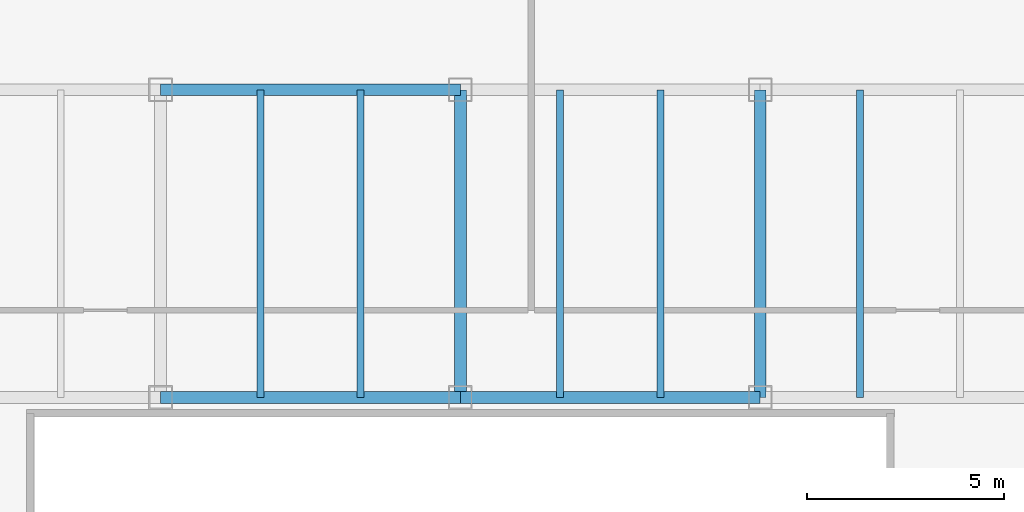
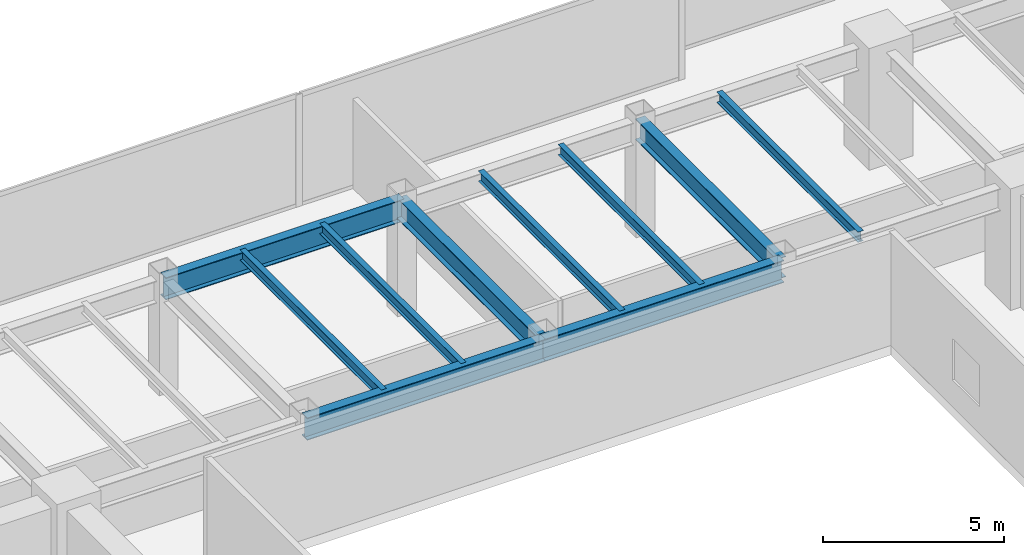
# One storey, part 17 of 36: 10 beams.
"""IFC4 building model written with IfcOpenShell, lengths in metres."""

from ifc_helpers import new_model, si_unit, direction, frame, origin, origin_2d, place, context, subcontext, project, spatial, i_section, extrude, source, transform, mapped, material, material_profile, profile_set, type_object, type_shapes, element, save


model = new_model("IFC4")

# Units and contexts
model_context = context("Model", 3, precision=1e-05, world=origin(), true_north=direction((0.0, 1.0)))
body_context = subcontext(model_context, "Body", "Model", "MODEL_VIEW")
ifc_project = project(units=[si_unit("LENGTHUNIT", "METRE"), si_unit("AREAUNIT", "SQUARE_METRE"), si_unit("VOLUMEUNIT", "CUBIC_METRE"), si_unit("PLANEANGLEUNIT", "RADIAN"), si_unit("MASSUNIT", "GRAM", prefix="KILO")], contexts=[model_context])

# Site, building, storey
site_placement = place(None, origin())
site = spatial("IfcSite", under=ifc_project, at=site_placement, CompositionType="ELEMENT")
building_placement = place(site_placement, origin())
building = spatial("IfcBuilding", under=site, at=building_placement, Name="Haelvirn Gate Laboratories", CompositionType="ELEMENT")
storey_placement = place(building_placement, frame((0.0, 0.0, 25.199951171875)))
storey = spatial("IfcBuildingStorey", under=building, at=storey_placement, Name="L06", CompositionType="ELEMENT", Elevation=25.199951171875)

# Beams
ifc_material = material(Name="Steel SM355", Category="steel")
ifc_material_profile_1 = material_profile(ifc_material, i_section(OverallWidth=0.300048828125, OverallDepth=0.699951171875, WebThickness=0.012939453125, FlangeThickness=0.02392578125, at=origin_2d()), Name="H-700x300x13x24")
ifc_profile_set_1 = profile_set([ifc_material_profile_1], Name="Steel SM355")
beam_type_1 = type_object("IfcBeamType", Name="BM-G-700", PredefinedType="BEAM", material=ifc_profile_set_1)
shared_shape_1 = source(origin(), body_context, "Body", "SweptSolid", [
    extrude(i_section(OverallWidth=0.300048828125, OverallDepth=0.699951171875, WebThickness=0.012939453125, FlangeThickness=0.02392578125, at=origin_2d()), origin(), (0.0, 0.0, 1.0), 7.800048828125),
])
type_shapes(beam_type_1, [shared_shape_1])
for number, where, z_axis, x_axis, name in (
    (1, (37.39990234375, 33.800048828125, 3.429931640625), (0.0, 1.0, 0.0), (-1.0, 0.0, 0.0), "L06 Frame Girder X37.4 (33.8-41.6)"),
    (2, (45.0, 33.800048828125, 3.429931640625), (0.0, 1.0, 0.0), (-1.0, 0.0, 0.0), "L06 Frame Girder X45.0 (33.8-41.6)"),
):
    element("IfcBeam", number, at=place(storey_placement, frame(where, z_axis=z_axis, x_axis=x_axis)), inside=storey, type_object=beam_type_1, Name=name, PredefinedType="BEAM", context=body_context, shape_type="MappedRepresentation", body=[
        mapped(shared_shape_1, transform((0.0, 0.0, 0.0), scale=1.0)),
    ])
ifc_material_profile_2 = material_profile(ifc_material, i_section(OverallWidth=0.300048828125, OverallDepth=0.75, WebThickness=0.013916015625, FlangeThickness=0.02392578125, at=origin_2d()), Name="H-750x300x14x24")
ifc_profile_set_2 = profile_set([ifc_material_profile_2], Name="Steel SM355")
beam_type_2 = type_object("IfcBeamType", Name="BM-G-750", PredefinedType="BEAM", material=ifc_profile_set_2)
shared_shape_2 = source(origin(), body_context, "Body", "SweptSolid", [
    extrude(i_section(OverallWidth=0.300048828125, OverallDepth=0.75, WebThickness=0.013916015625, FlangeThickness=0.02392578125, at=origin_2d()), origin(), (0.0, 0.0, 1.0), 7.60009765625),
])
beam_placement = place(storey_placement, frame((37.39990234375, 33.800048828125, 3.405029296875), z_axis=(1.0, 0.0, 0.0), x_axis=(0.0, 1.0, 0.0)))
element("IfcBeam", 3, at=beam_placement, inside=storey, type_object=beam_type_2, Name="L06 Primary Girder Y33.8 (37.4-45.0)", PredefinedType="BEAM", context=body_context, shape_type="MappedRepresentation", body=[
    mapped(shared_shape_2, transform((0.0, 0.0, 0.0), scale=1.0)),
])
shared_shape_3 = source(origin(), body_context, "Body", "SweptSolid", [
    extrude(i_section(OverallWidth=0.300048828125, OverallDepth=0.75, WebThickness=0.013916015625, FlangeThickness=0.02392578125, at=origin_2d()), origin(), (0.0, 0.0, 1.0), 7.599853515625),
])
type_shapes(beam_type_2, [shared_shape_2, shared_shape_3])
for number, where, z_axis, x_axis, name in (
    (4, (29.800048828125, 33.800048828125, 3.405029296875), (1.0, 0.0, 0.0), (0.0, 1.0, 0.0), "L06 Primary Girder Y33.8 (29.8-37.4)"),
    (5, (29.800048828125, 41.60009765625, 3.405029296875), (1.0, 0.0, 0.0), (0.0, 1.0, 0.0), "L06 Primary Girder Y41.6 (29.8-37.4)"),
):
    element("IfcBeam", number, at=place(storey_placement, frame(where, z_axis=z_axis, x_axis=x_axis)), inside=storey, type_object=beam_type_2, Name=name, PredefinedType="BEAM", context=body_context, shape_type="MappedRepresentation", body=[
        mapped(shared_shape_3, transform((0.0, 0.0, 0.0), scale=1.0)),
    ])
ifc_material_profile_3 = material_profile(ifc_material, i_section(OverallWidth=0.175048828125, OverallDepth=0.35009765625, WebThickness=0.007080078125, FlangeThickness=0.010986328125, at=origin_2d()), Name="H-350x175x7x11")
ifc_profile_set_3 = profile_set([ifc_material_profile_3], Name="Steel SM355")
beam_type_3 = type_object("IfcBeamType", Name="BM-J-350", PredefinedType="JOIST", material=ifc_profile_set_3)
shared_shape_4 = source(origin(), body_context, "Body", "SweptSolid", [
    extrude(i_section(OverallWidth=0.175048828125, OverallDepth=0.35009765625, WebThickness=0.007080078125, FlangeThickness=0.010986328125, at=origin_2d()), origin(), (0.0, 0.0, 1.0), 7.800048828125),
])
type_shapes(beam_type_3, [shared_shape_4])
for number, where, z_axis, x_axis, name in (
    (6, (32.330078125, 33.800048828125, 3.60498046875), (0.0, 1.0, 0.0), (-1.0, 0.0, 0.0), "L06 Composite Lab Joist North X32.33"),
    (7, (34.8701171875, 33.800048828125, 3.60498046875), (0.0, 1.0, 0.0), (-1.0, 0.0, 0.0), "L06 Composite Lab Joist North X34.87"),
    (8, (39.929931640625, 33.800048828125, 3.60498046875), (0.0, 1.0, 0.0), (-1.0, 0.0, 0.0), "L06 Composite Lab Joist North X39.93"),
    (9, (42.469970703125, 33.800048828125, 3.60498046875), (0.0, 1.0, 0.0), (-1.0, 0.0, 0.0), "L06 Composite Lab Joist North X42.47"),
    (10, (47.530029296875, 33.800048828125, 3.60498046875), (0.0, 1.0, 0.0), (-1.0, 0.0, 0.0), "L06 Composite Lab Joist North X47.53"),
):
    element("IfcBeam", number, at=place(storey_placement, frame(where, z_axis=z_axis, x_axis=x_axis)), inside=storey, type_object=beam_type_3, Name=name, PredefinedType="JOIST", context=body_context, shape_type="MappedRepresentation", body=[
        mapped(shared_shape_4, transform((0.0, 0.0, 0.0), scale=1.0)),
    ])

save(model, "model.ifc")
